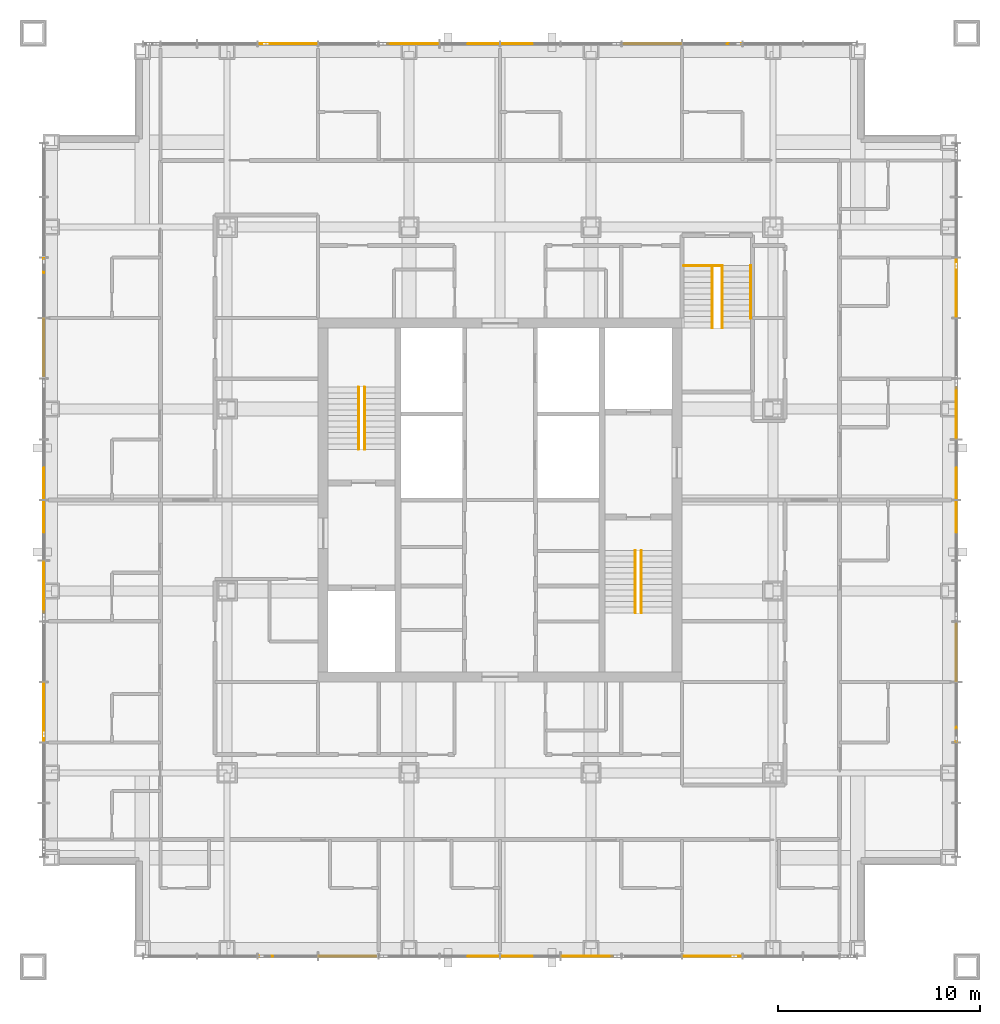
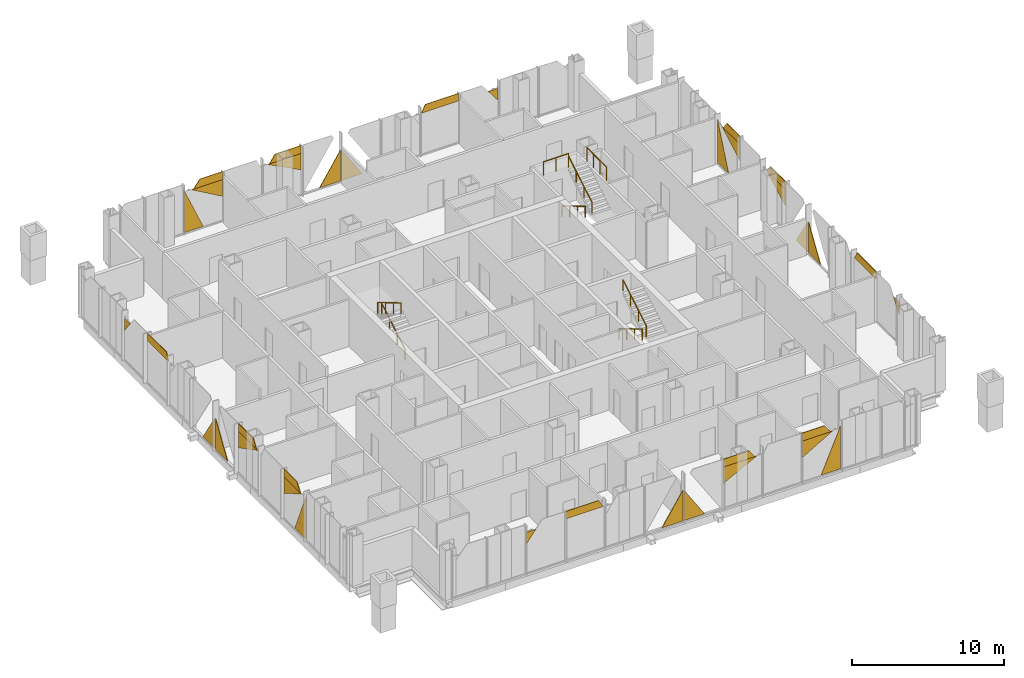
# One storey, part 13 of 25: 36 coverings, 8 railings.
"""IFC4 building model written with IfcOpenShell, lengths in metres."""

from ifc_helpers import new_model, si_unit, direction, frame, origin, origin_2d, place, context, subcontext, project, spatial, polyline, circle, outline, extrude, material, layer, layer_set, type_object, element, save


model = new_model("IFC4")

# Units and contexts
model_context = context("Model", 3, precision=1e-05, world=origin(), true_north=direction((0.0, 1.0)))
body_context = subcontext(model_context, "Body", "Model", "MODEL_VIEW")
ifc_project = project(units=[si_unit("LENGTHUNIT", "METRE"), si_unit("AREAUNIT", "SQUARE_METRE"), si_unit("VOLUMEUNIT", "CUBIC_METRE"), si_unit("PLANEANGLEUNIT", "RADIAN"), si_unit("MASSUNIT", "GRAM", prefix="KILO")], contexts=[model_context])

# Site, building, storey
site_placement = place(None, origin())
site = spatial("IfcSite", under=ifc_project, at=site_placement, CompositionType="ELEMENT")
building_placement = place(site_placement, origin())
building = spatial("IfcBuilding", under=site, at=building_placement, Name="Malebo Sky Hospital", CompositionType="ELEMENT")
storey_placement = place(building_placement, frame((0.0, 0.0, 241.0)))
storey = spatial("IfcBuildingStorey", under=building, at=storey_placement, Name="L58", CompositionType="ELEMENT", Elevation=241.0)

# Coverings
ifc_material_1 = material(Name="Anodised aluminium, natural silver insulated infill panel", Category="aluminium")
ifc_layer = layer(ifc_material_1, 0.0400390625)
ifc_layer_set = layer_set([ifc_layer], Name="BRACE INFILL PANEL 40")
covering_type = type_object("IfcCoveringType", Name="BRACE INFILL PANEL 40", PredefinedType="CLADDING", material=ifc_layer_set)
covering_1_placement = place(storey_placement, frame((48.77490234375, 84.574951171875, 0.099853515625), z_axis=(0.0, 0.0, 1.0), x_axis=(1.0, 0.0, 0.0)))
element("IfcCovering", 1, at=covering_1_placement, inside=storey, type_object=covering_type, Name="Brace infill panel 4.1", PredefinedType="CLADDING", context=body_context, shape_type="SweptSolid", body=[
    extrude(outline(polyline([(-0.7373046875, 0.0), (0.7373046875, 0.0), (-0.7373046875, 3.44091796875), (-0.7373046875, 0.0)])), frame((0.0, 0.02001953125, 0.0), z_axis=(0.0, -1.0, 0.0), x_axis=(1.0, 0.0, 0.0)), (0.0, 0.0, 1.0), 0.0400390625),
])
covering_2_placement = place(storey_placement, frame((49.799072265625, 84.574951171875, 2.0068359375), z_axis=(0.0, 0.0, 1.0), x_axis=(1.0, 0.0, 0.0)))
element("IfcCovering", 2, at=covering_2_placement, inside=storey, type_object=covering_type, Name="Brace infill panel 4.2", PredefinedType="CLADDING", context=body_context, shape_type="SweptSolid", body=[
    extrude(outline(polyline([(1.163330078125, 0.0), (1.163330078125, 1.34130859375), (-1.163330078125, 1.34130859375), (1.163330078125, 0.0)])), frame((0.0, 0.02001953125, 0.0), z_axis=(0.0, -1.0, 0.0), x_axis=(1.0, 0.0, 0.0)), (0.0, 0.0, 1.0), 0.0400390625),
])
covering_3_placement = place(storey_placement, frame((49.867431640625, 84.574951171875, 3.34814453125), z_axis=(0.0, 0.0, 1.0), x_axis=(1.0, 0.0, 0.0)))
element("IfcCovering", 3, at=covering_3_placement, inside=storey, type_object=covering_type, Name="Brace infill panel 4.3", PredefinedType="CLADDING", context=body_context, shape_type="SweptSolid", body=[
    extrude(outline(polyline([(-1.094970703125, 0.0), (1.094970703125, 0.0), (1.094970703125, 0.641845703125), (-0.608154296875, 0.641845703125), (-1.094970703125, 0.0)])), frame((0.0, 0.02001953125, 0.0), z_axis=(0.0, -1.0, 0.0), x_axis=(1.0, 0.0, 0.0)), (0.0, 0.0, 1.0), 0.0400390625),
])
covering_4_placement = place(storey_placement, frame((55.68603515625, 84.574951171875, 2.03466796875), z_axis=(0.0, 0.0, 1.0), x_axis=(1.0, 0.0, 0.0)))
element("IfcCovering", 4, at=covering_4_placement, inside=storey, type_object=covering_type, Name="Brace infill panel 6.1", PredefinedType="CLADDING", context=body_context, shape_type="SweptSolid", body=[
    extrude(outline(polyline([(1.2763671875, 0.0), (1.2763671875, 1.326416015625), (-1.2763671875, 1.326416015625), (1.2763671875, 0.0)])), frame((0.0, 0.02001953125, 0.0), z_axis=(0.0, -1.0, 0.0), x_axis=(1.0, 0.0, 0.0)), (0.0, 0.0, 1.0), 0.0400390625),
])
covering_5_placement = place(storey_placement, frame((55.760498046875, 84.574951171875, 3.36083984375), z_axis=(0.0, 0.0, 1.0), x_axis=(1.0, 0.0, 0.0)))
element("IfcCovering", 5, at=covering_5_placement, inside=storey, type_object=covering_type, Name="Brace infill panel 6.2", PredefinedType="CLADDING", context=body_context, shape_type="SweptSolid", body=[
    extrude(outline(polyline([(-1.201904296875, 0.0), (1.201904296875, 0.0), (1.201904296875, 0.629150390625), (-0.77685546875, 0.629150390625), (-1.201904296875, 0.0)])), frame((0.0, 0.02001953125, 0.0), z_axis=(0.0, -1.0, 0.0), x_axis=(1.0, 0.0, 0.0)), (0.0, 0.0, 1.0), 0.0400390625),
])
covering_6_placement = place(storey_placement, frame((59.17041015625, 84.574951171875, 0.10009765625), z_axis=(0.0, 0.0, 1.0), x_axis=(1.0, 0.0, 0.0)))
element("IfcCovering", 6, at=covering_6_placement, inside=storey, type_object=covering_type, Name="Brace infill panel 7.1", PredefinedType="CLADDING", context=body_context, shape_type="SweptSolid", body=[
    extrude(outline(polyline([(-0.7919921875, 0.0), (0.7919921875, 0.0), (0.7919921875, 2.468505859375), (-0.7919921875, 0.0)])), frame((0.0, 0.02001953125, 0.0), z_axis=(0.0, -1.0, 0.0), x_axis=(1.0, 0.0, 0.0)), (0.0, 0.0, 1.0), 0.0400390625),
])
covering_7_placement = place(storey_placement, frame((60.82958984375, 84.574951171875, 0.10009765625), z_axis=(0.0, 0.0, 1.0), x_axis=(1.0, 0.0, 0.0)))
element("IfcCovering", 7, at=covering_7_placement, inside=storey, type_object=covering_type, Name="Brace infill panel 8.1", PredefinedType="CLADDING", context=body_context, shape_type="SweptSolid", body=[
    extrude(outline(polyline([(-0.7919921875, 0.0), (0.7919921875, 0.0), (-0.7919921875, 2.468505859375), (-0.7919921875, 0.0)])), frame((0.0, 0.02001953125, 0.0), z_axis=(0.0, -1.0, 0.0), x_axis=(1.0, 0.0, 0.0)), (0.0, 0.0, 1.0), 0.0400390625),
])
covering_8_placement = place(storey_placement, frame((67.5439453125, 84.574951171875, 3.389892578125), z_axis=(0.0, 0.0, 1.0), x_axis=(1.0, 0.0, 0.0)))
element("IfcCovering", 8, at=covering_8_placement, inside=storey, type_object=covering_type, Name="Brace infill panel 10.1", PredefinedType="CLADDING", context=body_context, shape_type="SweptSolid", body=[
    extrude(outline(polyline([(-1.41845703125, 0.0), (1.41845703125, 0.0), (1.41845703125, 0.60009765625), (-1.11181640625, 0.60009765625), (-1.41845703125, 0.0)])), frame((0.0, 0.02001953125, 0.0), z_axis=(0.0, -1.0, 0.0), x_axis=(1.0, 0.0, 0.0)), (0.0, 0.0, 1.0), 0.0400390625),
])
covering_9_placement = place(storey_placement, frame((71.594970703125, 84.574951171875, 2.37841796875), z_axis=(0.0, 0.0, 1.0), x_axis=(1.0, 0.0, 0.0)))
element("IfcCovering", 9, at=covering_9_placement, inside=storey, type_object=covering_type, Name="Brace infill panel 11.1", PredefinedType="CLADDING", context=body_context, shape_type="SweptSolid", body=[
    extrude(outline(polyline([(0.36767578125, 0.0), (0.36767578125, 0.969482421875), (-0.367431640625, 0.969482421875), (0.36767578125, 0.0)])), frame((0.0, 0.02001953125, 0.0), z_axis=(0.0, -1.0, 0.0), x_axis=(1.0, 0.0, 0.0)), (0.0, 0.0, 1.0), 0.0400390625),
])
covering_10_placement = place(storey_placement, frame((37.425048828125, 50.77490234375, 0.099853515625), z_axis=(0.0, 0.0, 1.0), x_axis=(0.0, 1.0, 0.0)))
element("IfcCovering", 10, at=covering_10_placement, inside=storey, type_object=covering_type, Name="Brace infill panel 4.1", PredefinedType="CLADDING", context=body_context, shape_type="SweptSolid", body=[
    extrude(outline(polyline([(-0.7373046875, 0.0), (0.7373046875, 0.0), (-0.7373046875, 3.44091796875), (-0.7373046875, 0.0)])), frame((0.0, 0.02001953125, 0.0), z_axis=(0.0, -1.0, 0.0), x_axis=(1.0, 0.0, 0.0)), (0.0, 0.0, 1.0), 0.0400390625),
])
covering_11_placement = place(storey_placement, frame((37.425048828125, 51.799072265625, 2.0068359375), z_axis=(0.0, 0.0, 1.0), x_axis=(0.0, 1.0, 0.0)))
element("IfcCovering", 11, at=covering_11_placement, inside=storey, type_object=covering_type, Name="Brace infill panel 4.2", PredefinedType="CLADDING", context=body_context, shape_type="SweptSolid", body=[
    extrude(outline(polyline([(1.163330078125, 0.0), (1.163330078125, 1.34130859375), (-1.163330078125, 1.34130859375), (1.163330078125, 0.0)])), frame((0.0, 0.02001953125, 0.0), z_axis=(0.0, -1.0, 0.0), x_axis=(1.0, 0.0, 0.0)), (0.0, 0.0, 1.0), 0.0400390625),
])
covering_12_placement = place(storey_placement, frame((37.425048828125, 51.867431640625, 3.34814453125), z_axis=(0.0, 0.0, 1.0), x_axis=(0.0, 1.0, 0.0)))
element("IfcCovering", 12, at=covering_12_placement, inside=storey, type_object=covering_type, Name="Brace infill panel 4.3", PredefinedType="CLADDING", context=body_context, shape_type="SweptSolid", body=[
    extrude(outline(polyline([(-1.094970703125, 0.0), (1.094970703125, 0.0), (1.094970703125, 0.641845703125), (-0.608154296875, 0.641845703125), (-1.094970703125, 0.0)])), frame((0.0, 0.02001953125, 0.0), z_axis=(0.0, -1.0, 0.0), x_axis=(1.0, 0.0, 0.0)), (0.0, 0.0, 1.0), 0.0400390625),
])
covering_13_placement = place(storey_placement, frame((37.425048828125, 57.68603515625, 2.03466796875), z_axis=(0.0, 0.0, 1.0), x_axis=(0.0, 1.0, 0.0)))
element("IfcCovering", 13, at=covering_13_placement, inside=storey, type_object=covering_type, Name="Brace infill panel 6.1", PredefinedType="CLADDING", context=body_context, shape_type="SweptSolid", body=[
    extrude(outline(polyline([(1.2763671875, 0.0), (1.2763671875, 1.326416015625), (-1.2763671875, 1.326416015625), (1.2763671875, 0.0)])), frame((0.0, 0.02001953125, 0.0), z_axis=(0.0, -1.0, 0.0), x_axis=(1.0, 0.0, 0.0)), (0.0, 0.0, 1.0), 0.0400390625),
])
covering_14_placement = place(storey_placement, frame((37.425048828125, 57.760498046875, 3.36083984375), z_axis=(0.0, 0.0, 1.0), x_axis=(0.0, 1.0, 0.0)))
element("IfcCovering", 14, at=covering_14_placement, inside=storey, type_object=covering_type, Name="Brace infill panel 6.2", PredefinedType="CLADDING", context=body_context, shape_type="SweptSolid", body=[
    extrude(outline(polyline([(-1.201904296875, 0.0), (1.201904296875, 0.0), (1.201904296875, 0.629150390625), (-0.77685546875, 0.629150390625), (-1.201904296875, 0.0)])), frame((0.0, 0.02001953125, 0.0), z_axis=(0.0, -1.0, 0.0), x_axis=(1.0, 0.0, 0.0)), (0.0, 0.0, 1.0), 0.0400390625),
])
covering_15_placement = place(storey_placement, frame((37.425048828125, 61.17041015625, 0.10009765625), z_axis=(0.0, 0.0, 1.0), x_axis=(0.0, 1.0, 0.0)))
element("IfcCovering", 15, at=covering_15_placement, inside=storey, type_object=covering_type, Name="Brace infill panel 7.1", PredefinedType="CLADDING", context=body_context, shape_type="SweptSolid", body=[
    extrude(outline(polyline([(-0.7919921875, 0.0), (0.7919921875, 0.0), (0.7919921875, 2.468505859375), (-0.7919921875, 0.0)])), frame((0.0, 0.02001953125, 0.0), z_axis=(0.0, -1.0, 0.0), x_axis=(1.0, 0.0, 0.0)), (0.0, 0.0, 1.0), 0.0400390625),
])
covering_16_placement = place(storey_placement, frame((37.425048828125, 62.82958984375, 0.10009765625), z_axis=(0.0, 0.0, 1.0), x_axis=(0.0, 1.0, 0.0)))
element("IfcCovering", 16, at=covering_16_placement, inside=storey, type_object=covering_type, Name="Brace infill panel 8.1", PredefinedType="CLADDING", context=body_context, shape_type="SweptSolid", body=[
    extrude(outline(polyline([(-0.7919921875, 0.0), (0.7919921875, 0.0), (-0.7919921875, 2.468505859375), (-0.7919921875, 0.0)])), frame((0.0, 0.02001953125, 0.0), z_axis=(0.0, -1.0, 0.0), x_axis=(1.0, 0.0, 0.0)), (0.0, 0.0, 1.0), 0.0400390625),
])
covering_17_placement = place(storey_placement, frame((37.425048828125, 69.5439453125, 3.389892578125), z_axis=(0.0, 0.0, 1.0), x_axis=(0.0, 1.0, 0.0)))
element("IfcCovering", 17, at=covering_17_placement, inside=storey, type_object=covering_type, Name="Brace infill panel 10.1", PredefinedType="CLADDING", context=body_context, shape_type="SweptSolid", body=[
    extrude(outline(polyline([(-1.41845703125, 0.0), (1.41845703125, 0.0), (1.41845703125, 0.60009765625), (-1.11181640625, 0.60009765625), (-1.41845703125, 0.0)])), frame((0.0, 0.02001953125, 0.0), z_axis=(0.0, -1.0, 0.0), x_axis=(1.0, 0.0, 0.0)), (0.0, 0.0, 1.0), 0.0400390625),
])
covering_18_placement = place(storey_placement, frame((37.425048828125, 73.594970703125, 2.37841796875), z_axis=(0.0, 0.0, 1.0), x_axis=(0.0, 1.0, 0.0)))
element("IfcCovering", 18, at=covering_18_placement, inside=storey, type_object=covering_type, Name="Brace infill panel 11.1", PredefinedType="CLADDING", context=body_context, shape_type="SweptSolid", body=[
    extrude(outline(polyline([(0.36767578125, 0.0), (0.36767578125, 0.969482421875), (-0.367431640625, 0.969482421875), (0.36767578125, 0.0)])), frame((0.0, 0.02001953125, 0.0), z_axis=(0.0, -1.0, 0.0), x_axis=(1.0, 0.0, 0.0)), (0.0, 0.0, 1.0), 0.0400390625),
])
covering_19_placement = place(storey_placement, frame((71.22509765625, 39.425048828125, 0.099853515625), z_axis=(0.0, 0.0, 1.0), x_axis=(-1.0, 0.0, 0.0)))
element("IfcCovering", 19, at=covering_19_placement, inside=storey, type_object=covering_type, Name="Brace infill panel 4.1", PredefinedType="CLADDING", context=body_context, shape_type="SweptSolid", body=[
    extrude(outline(polyline([(-0.7373046875, 0.0), (0.7373046875, 0.0), (-0.7373046875, 3.44091796875), (-0.7373046875, 0.0)])), frame((0.0, 0.02001953125, 0.0), z_axis=(0.0, -1.0, 0.0), x_axis=(1.0, 0.0, 0.0)), (0.0, 0.0, 1.0), 0.0400390625),
])
covering_20_placement = place(storey_placement, frame((70.200927734375, 39.425048828125, 2.0068359375), z_axis=(0.0, 0.0, 1.0), x_axis=(-1.0, 0.0, 0.0)))
element("IfcCovering", 20, at=covering_20_placement, inside=storey, type_object=covering_type, Name="Brace infill panel 4.2", PredefinedType="CLADDING", context=body_context, shape_type="SweptSolid", body=[
    extrude(outline(polyline([(1.163330078125, 0.0), (1.163330078125, 1.34130859375), (-1.163330078125, 1.34130859375), (1.163330078125, 0.0)])), frame((0.0, 0.02001953125, 0.0), z_axis=(0.0, -1.0, 0.0), x_axis=(1.0, 0.0, 0.0)), (0.0, 0.0, 1.0), 0.0400390625),
])
covering_21_placement = place(storey_placement, frame((70.132568359375, 39.425048828125, 3.34814453125), z_axis=(0.0, 0.0, 1.0), x_axis=(-1.0, 0.0, 0.0)))
element("IfcCovering", 21, at=covering_21_placement, inside=storey, type_object=covering_type, Name="Brace infill panel 4.3", PredefinedType="CLADDING", context=body_context, shape_type="SweptSolid", body=[
    extrude(outline(polyline([(-1.094970703125, 0.0), (1.094970703125, 0.0), (1.094970703125, 0.641845703125), (-0.608154296875, 0.641845703125), (-1.094970703125, 0.0)])), frame((0.0, 0.02001953125, 0.0), z_axis=(0.0, -1.0, 0.0), x_axis=(1.0, 0.0, 0.0)), (0.0, 0.0, 1.0), 0.0400390625),
])
covering_22_placement = place(storey_placement, frame((64.31396484375, 39.425048828125, 2.03466796875), z_axis=(0.0, 0.0, 1.0), x_axis=(-1.0, 0.0, 0.0)))
element("IfcCovering", 22, at=covering_22_placement, inside=storey, type_object=covering_type, Name="Brace infill panel 6.1", PredefinedType="CLADDING", context=body_context, shape_type="SweptSolid", body=[
    extrude(outline(polyline([(1.2763671875, 0.0), (1.2763671875, 1.326416015625), (-1.2763671875, 1.326416015625), (1.2763671875, 0.0)])), frame((0.0, 0.02001953125, 0.0), z_axis=(0.0, -1.0, 0.0), x_axis=(1.0, 0.0, 0.0)), (0.0, 0.0, 1.0), 0.0400390625),
])
covering_23_placement = place(storey_placement, frame((64.239501953125, 39.425048828125, 3.36083984375), z_axis=(0.0, 0.0, 1.0), x_axis=(-1.0, 0.0, 0.0)))
element("IfcCovering", 23, at=covering_23_placement, inside=storey, type_object=covering_type, Name="Brace infill panel 6.2", PredefinedType="CLADDING", context=body_context, shape_type="SweptSolid", body=[
    extrude(outline(polyline([(-1.201904296875, 0.0), (1.201904296875, 0.0), (1.201904296875, 0.629150390625), (-0.77685546875, 0.629150390625), (-1.201904296875, 0.0)])), frame((0.0, 0.02001953125, 0.0), z_axis=(0.0, -1.0, 0.0), x_axis=(1.0, 0.0, 0.0)), (0.0, 0.0, 1.0), 0.0400390625),
])
covering_24_placement = place(storey_placement, frame((60.82958984375, 39.425048828125, 0.10009765625), z_axis=(0.0, 0.0, 1.0), x_axis=(-1.0, 0.0, 0.0)))
element("IfcCovering", 24, at=covering_24_placement, inside=storey, type_object=covering_type, Name="Brace infill panel 7.1", PredefinedType="CLADDING", context=body_context, shape_type="SweptSolid", body=[
    extrude(outline(polyline([(-0.7919921875, 0.0), (0.7919921875, 0.0), (0.7919921875, 2.468505859375), (-0.7919921875, 0.0)])), frame((0.0, 0.02001953125, 0.0), z_axis=(0.0, -1.0, 0.0), x_axis=(1.0, 0.0, 0.0)), (0.0, 0.0, 1.0), 0.0400390625),
])
covering_25_placement = place(storey_placement, frame((59.17041015625, 39.425048828125, 0.10009765625), z_axis=(0.0, 0.0, 1.0), x_axis=(-1.0, 0.0, 0.0)))
element("IfcCovering", 25, at=covering_25_placement, inside=storey, type_object=covering_type, Name="Brace infill panel 8.1", PredefinedType="CLADDING", context=body_context, shape_type="SweptSolid", body=[
    extrude(outline(polyline([(-0.7919921875, 0.0), (0.7919921875, 0.0), (-0.7919921875, 2.468505859375), (-0.7919921875, 0.0)])), frame((0.0, 0.02001953125, 0.0), z_axis=(0.0, -1.0, 0.0), x_axis=(1.0, 0.0, 0.0)), (0.0, 0.0, 1.0), 0.0400390625),
])
covering_26_placement = place(storey_placement, frame((52.4560546875, 39.425048828125, 3.389892578125), z_axis=(0.0, 0.0, 1.0), x_axis=(-1.0, 0.0, 0.0)))
element("IfcCovering", 26, at=covering_26_placement, inside=storey, type_object=covering_type, Name="Brace infill panel 10.1", PredefinedType="CLADDING", context=body_context, shape_type="SweptSolid", body=[
    extrude(outline(polyline([(-1.41845703125, 0.0), (1.41845703125, 0.0), (1.41845703125, 0.60009765625), (-1.11181640625, 0.60009765625), (-1.41845703125, 0.0)])), frame((0.0, 0.02001953125, 0.0), z_axis=(0.0, -1.0, 0.0), x_axis=(1.0, 0.0, 0.0)), (0.0, 0.0, 1.0), 0.0400390625),
])
covering_27_placement = place(storey_placement, frame((48.405029296875, 39.425048828125, 2.37841796875), z_axis=(0.0, 0.0, 1.0), x_axis=(-1.0, 0.0, 0.0)))
element("IfcCovering", 27, at=covering_27_placement, inside=storey, type_object=covering_type, Name="Brace infill panel 11.1", PredefinedType="CLADDING", context=body_context, shape_type="SweptSolid", body=[
    extrude(outline(polyline([(0.36767578125, 0.0), (0.36767578125, 0.9326171875), (0.2666015625, 0.969482421875), (-0.367431640625, 0.969482421875), (0.36767578125, 0.0)])), frame((0.0, 0.02001953125, 0.0), z_axis=(0.0, -1.0, 0.0), x_axis=(1.0, 0.0, 0.0)), (0.0, 0.0, 1.0), 0.0400390625),
])
covering_28_placement = place(storey_placement, frame((82.574951171875, 73.22509765625, 0.099853515625), z_axis=(0.0, 0.0, 1.0), x_axis=(0.0, -1.0, 0.0)))
element("IfcCovering", 28, at=covering_28_placement, inside=storey, type_object=covering_type, Name="Brace infill panel 4.1", PredefinedType="CLADDING", context=body_context, shape_type="SweptSolid", body=[
    extrude(outline(polyline([(-0.7373046875, 0.0), (0.7373046875, 0.0), (-0.7373046875, 3.44091796875), (-0.7373046875, 0.0)])), frame((0.0, 0.02001953125, 0.0), z_axis=(0.0, -1.0, 0.0), x_axis=(1.0, 0.0, 0.0)), (0.0, 0.0, 1.0), 0.0400390625),
])
covering_29_placement = place(storey_placement, frame((82.574951171875, 72.200927734375, 2.0068359375), z_axis=(0.0, 0.0, 1.0), x_axis=(0.0, -1.0, 0.0)))
element("IfcCovering", 29, at=covering_29_placement, inside=storey, type_object=covering_type, Name="Brace infill panel 4.2", PredefinedType="CLADDING", context=body_context, shape_type="SweptSolid", body=[
    extrude(outline(polyline([(1.163330078125, 0.0), (1.163330078125, 1.34130859375), (-1.163330078125, 1.34130859375), (1.163330078125, 0.0)])), frame((0.0, 0.02001953125, 0.0), z_axis=(0.0, -1.0, 0.0), x_axis=(1.0, 0.0, 0.0)), (0.0, 0.0, 1.0), 0.0400390625),
])
covering_30_placement = place(storey_placement, frame((82.574951171875, 72.132568359375, 3.34814453125), z_axis=(0.0, 0.0, 1.0), x_axis=(0.0, -1.0, 0.0)))
element("IfcCovering", 30, at=covering_30_placement, inside=storey, type_object=covering_type, Name="Brace infill panel 4.3", PredefinedType="CLADDING", context=body_context, shape_type="SweptSolid", body=[
    extrude(outline(polyline([(-1.094970703125, 0.0), (1.094970703125, 0.0), (1.094970703125, 0.641845703125), (-0.608154296875, 0.641845703125), (-1.094970703125, 0.0)])), frame((0.0, 0.02001953125, 0.0), z_axis=(0.0, -1.0, 0.0), x_axis=(1.0, 0.0, 0.0)), (0.0, 0.0, 1.0), 0.0400390625),
])
covering_31_placement = place(storey_placement, frame((82.574951171875, 66.31396484375, 2.03466796875), z_axis=(0.0, 0.0, 1.0), x_axis=(0.0, -1.0, 0.0)))
element("IfcCovering", 31, at=covering_31_placement, inside=storey, type_object=covering_type, Name="Brace infill panel 6.1", PredefinedType="CLADDING", context=body_context, shape_type="SweptSolid", body=[
    extrude(outline(polyline([(1.2763671875, 0.0), (1.2763671875, 1.326416015625), (-1.2763671875, 1.326416015625), (1.2763671875, 0.0)])), frame((0.0, 0.02001953125, 0.0), z_axis=(0.0, -1.0, 0.0), x_axis=(1.0, 0.0, 0.0)), (0.0, 0.0, 1.0), 0.0400390625),
])
covering_32_placement = place(storey_placement, frame((82.574951171875, 66.239501953125, 3.36083984375), z_axis=(0.0, 0.0, 1.0), x_axis=(0.0, -1.0, 0.0)))
element("IfcCovering", 32, at=covering_32_placement, inside=storey, type_object=covering_type, Name="Brace infill panel 6.2", PredefinedType="CLADDING", context=body_context, shape_type="SweptSolid", body=[
    extrude(outline(polyline([(-1.201904296875, 0.0), (1.201904296875, 0.0), (1.201904296875, 0.629150390625), (-0.77685546875, 0.629150390625), (-1.201904296875, 0.0)])), frame((0.0, 0.02001953125, 0.0), z_axis=(0.0, -1.0, 0.0), x_axis=(1.0, 0.0, 0.0)), (0.0, 0.0, 1.0), 0.0400390625),
])
covering_33_placement = place(storey_placement, frame((82.574951171875, 62.82958984375, 0.10009765625), z_axis=(0.0, 0.0, 1.0), x_axis=(0.0, -1.0, 0.0)))
element("IfcCovering", 33, at=covering_33_placement, inside=storey, type_object=covering_type, Name="Brace infill panel 7.1", PredefinedType="CLADDING", context=body_context, shape_type="SweptSolid", body=[
    extrude(outline(polyline([(-0.7919921875, 0.0), (0.7919921875, 0.0), (0.7919921875, 2.468505859375), (-0.7919921875, 0.0)])), frame((0.0, 0.02001953125, 0.0), z_axis=(0.0, -1.0, 0.0), x_axis=(1.0, 0.0, 0.0)), (0.0, 0.0, 1.0), 0.0400390625),
])
covering_34_placement = place(storey_placement, frame((82.574951171875, 61.17041015625, 0.10009765625), z_axis=(0.0, 0.0, 1.0), x_axis=(0.0, -1.0, 0.0)))
element("IfcCovering", 34, at=covering_34_placement, inside=storey, type_object=covering_type, Name="Brace infill panel 8.1", PredefinedType="CLADDING", context=body_context, shape_type="SweptSolid", body=[
    extrude(outline(polyline([(-0.7919921875, 0.0), (0.7919921875, 0.0), (-0.7919921875, 2.468505859375), (-0.7919921875, 0.0)])), frame((0.0, 0.02001953125, 0.0), z_axis=(0.0, -1.0, 0.0), x_axis=(1.0, 0.0, 0.0)), (0.0, 0.0, 1.0), 0.0400390625),
])
covering_35_placement = place(storey_placement, frame((82.574951171875, 54.4560546875, 3.389892578125), z_axis=(0.0, 0.0, 1.0), x_axis=(0.0, -1.0, 0.0)))
element("IfcCovering", 35, at=covering_35_placement, inside=storey, type_object=covering_type, Name="Brace infill panel 10.1", PredefinedType="CLADDING", context=body_context, shape_type="SweptSolid", body=[
    extrude(outline(polyline([(-1.41845703125, 0.0), (1.41845703125, 0.0), (1.41845703125, 0.60009765625), (-1.11181640625, 0.60009765625), (-1.41845703125, 0.0)])), frame((0.0, 0.02001953125, 0.0), z_axis=(0.0, -1.0, 0.0), x_axis=(1.0, 0.0, 0.0)), (0.0, 0.0, 1.0), 0.0400390625),
])
covering_36_placement = place(storey_placement, frame((82.574951171875, 50.405029296875, 2.37841796875), z_axis=(0.0, 0.0, 1.0), x_axis=(0.0, -1.0, 0.0)))
element("IfcCovering", 36, at=covering_36_placement, inside=storey, type_object=covering_type, Name="Brace infill panel 11.1", PredefinedType="CLADDING", context=body_context, shape_type="SweptSolid", body=[
    extrude(outline(polyline([(0.36767578125, 0.0), (0.36767578125, 0.9326171875), (0.2666015625, 0.969482421875), (-0.367431640625, 0.969482421875), (0.36767578125, 0.0)])), frame((0.0, 0.02001953125, 0.0), z_axis=(0.0, -1.0, 0.0), x_axis=(1.0, 0.0, 0.0)), (0.0, 0.0, 1.0), 0.0400390625),
])

# Railings
ifc_material_2 = material(Name="Stainless steel balustrade", Category="steel")
railing_type_1 = type_object("IfcRailingType", Name="STAIR GUARD 1100", PredefinedType="GUARDRAIL", material=ifc_material_2)
railing_1_placement = place(storey_placement, frame((69.10009765625, 73.60009765625, 4.0)))
element("IfcRailing", 37, at=railing_1_placement, inside=storey, type_object=railing_type_1, Name="Stair guard S3 top landing", PredefinedType="GUARDRAIL", context=body_context, shape_type="SweptSolid", body=[
    extrude(circle(Radius=0.02392578125, at=origin_2d()), frame((0.0, 0.0, 1.076171875), z_axis=(1.0, 0.0, 0.0), x_axis=(0.0, 1.0, 0.0)), (0.0, 0.0, 1.0), 1.89990234375),
    extrude(circle(Radius=0.02099609375, at=origin_2d()), origin(), (0.0, 0.0, 1.0), 1.052001953125),
    extrude(circle(Radius=0.02099609375, at=origin_2d()), frame((0.949951171875, 0.0, 0.0)), (0.0, 0.0, 1.0), 1.052001953125),
    extrude(circle(Radius=0.02099609375, at=origin_2d()), frame((1.89990234375, 0.0, 0.0)), (0.0, 0.0, 1.0), 1.052001953125),
])
railing_2_placement = place(storey_placement, frame((72.39990234375, 71.0, 4.0)))
element("IfcRailing", 38, at=railing_2_placement, inside=storey, type_object=railing_type_1, Name="Stair guard S3 top landing", PredefinedType="GUARDRAIL", context=body_context, shape_type="SweptSolid", body=[
    extrude(circle(Radius=0.02392578125, at=origin_2d()), frame((0.0, 0.0, 1.076171875), z_axis=(0.0, 1.0, 0.0), x_axis=(-1.0, 0.0, 0.0)), (0.0, 0.0, 1.0), 2.60009765625),
    extrude(circle(Radius=0.02099609375, at=origin_2d()), origin(), (0.0, 0.0, 1.0), 1.052001953125),
    extrude(circle(Radius=0.02099609375, at=origin_2d()), frame((0.0, 0.86669921875, 0.0)), (0.0, 0.0, 1.0), 1.052001953125),
    extrude(circle(Radius=0.02099609375, at=origin_2d()), frame((0.0, 1.7333984375, 0.0)), (0.0, 0.0, 1.0), 1.052001953125),
    extrude(circle(Radius=0.02099609375, at=origin_2d()), frame((0.0, 2.60009765625, 0.0)), (0.0, 0.0, 1.0), 1.052001953125),
])
ifc_material_3 = material(Name="Stainless steel tube", Category="steel")
railing_type_2 = type_object("IfcRailingType", Name="STAIR HANDRAIL 900", PredefinedType="HANDRAIL", material=ifc_material_3)
railing_3_placement = place(storey_placement, frame((53.300048828125, 64.5, 0.166748046875)))
element("IfcRailing", 39, at=railing_3_placement, inside=storey, type_object=railing_type_2, Name="Stair handrail S1 flight 1", PredefinedType="HANDRAIL", context=body_context, shape_type="SweptSolid", body=[
    extrude(circle(Radius=0.02392578125, at=origin_2d()), frame((0.0, 0.0, 0.8759765625), z_axis=(0.0, 0.859308565015, 0.511457515432), x_axis=(-1.0, 0.0, 0.0)), (0.0, 0.0, 1.0), 3.58447265625),
    extrude(circle(Radius=0.02099609375, at=origin_2d()), origin(), (0.0, 0.0, 1.0), 0.851806640625),
    extrude(circle(Radius=0.02099609375, at=origin_2d()), frame((0.0, 1.026611328125, 0.611083984375)), (0.0, 0.0, 1.0), 0.851806640625),
    extrude(circle(Radius=0.02099609375, at=origin_2d()), frame((0.0, 2.053466796875, 1.22216796875)), (0.0, 0.0, 1.0), 0.851806640625),
    extrude(circle(Radius=0.02099609375, at=origin_2d()), frame((0.0, 3.080078125, 1.833251953125)), (0.0, 0.0, 1.0), 0.851806640625),
])
for number, where, name in (
    (40, (53.0, 67.580078125, 2.166748046875), "Stair handrail S1 flight 2"),
    (41, (66.699951171875, 59.5, 0.166748046875), "Stair handrail S2 flight 1"),
):
    element("IfcRailing", number, at=place(storey_placement, frame(where)), inside=storey, type_object=railing_type_2, Name=name, PredefinedType="HANDRAIL", context=body_context, shape_type="SweptSolid", body=[
        extrude(circle(Radius=0.02392578125, at=origin_2d()), frame((0.0, 0.0, 0.8759765625), z_axis=(0.0, -0.859308565015, 0.511457515432), x_axis=(1.0, 0.0, 0.0)), (0.0, 0.0, 1.0), 3.58447265625),
        extrude(circle(Radius=0.02099609375, at=origin_2d()), origin(), (0.0, 0.0, 1.0), 0.851806640625),
        extrude(circle(Radius=0.02099609375, at=origin_2d()), frame((0.0, -1.026611328125, 0.611083984375)), (0.0, 0.0, 1.0), 0.851806640625),
        extrude(circle(Radius=0.02099609375, at=origin_2d()), frame((0.0, -2.053466796875, 1.22216796875)), (0.0, 0.0, 1.0), 0.851806640625),
        extrude(circle(Radius=0.02099609375, at=origin_2d()), frame((0.0, -3.080078125, 1.833251953125)), (0.0, 0.0, 1.0), 0.851806640625),
    ])
railing_4_placement = place(storey_placement, frame((67.0, 56.419921875, 2.166748046875)))
element("IfcRailing", 42, at=railing_4_placement, inside=storey, type_object=railing_type_2, Name="Stair handrail S2 flight 2", PredefinedType="HANDRAIL", context=body_context, shape_type="SweptSolid", body=[
    extrude(circle(Radius=0.02392578125, at=origin_2d()), frame((0.0, 0.0, 0.8759765625), z_axis=(0.0, 0.859308565015, 0.511457515432), x_axis=(-1.0, 0.0, 0.0)), (0.0, 0.0, 1.0), 3.58447265625),
    extrude(circle(Radius=0.02099609375, at=origin_2d()), origin(), (0.0, 0.0, 1.0), 0.851806640625),
    extrude(circle(Radius=0.02099609375, at=origin_2d()), frame((0.0, 1.026611328125, 0.611083984375)), (0.0, 0.0, 1.0), 0.851806640625),
    extrude(circle(Radius=0.02099609375, at=origin_2d()), frame((0.0, 2.053466796875, 1.22216796875)), (0.0, 0.0, 1.0), 0.851806640625),
    extrude(circle(Radius=0.02099609375, at=origin_2d()), frame((0.0, 3.080078125, 1.833251953125)), (0.0, 0.0, 1.0), 0.851806640625),
])
railing_5_placement = place(storey_placement, frame((70.5, 73.60009765625, 0.166748046875)))
element("IfcRailing", 43, at=railing_5_placement, inside=storey, type_object=railing_type_2, Name="Stair handrail S3 flight 1", PredefinedType="HANDRAIL", context=body_context, shape_type="SweptSolid", body=[
    extrude(circle(Radius=0.02392578125, at=origin_2d()), frame((0.0, 0.0, 0.8759765625), z_axis=(0.0, -0.859308565015, 0.511457515432), x_axis=(1.0, 0.0, 0.0)), (0.0, 0.0, 1.0), 3.58447265625),
    extrude(circle(Radius=0.02099609375, at=origin_2d()), origin(), (0.0, 0.0, 1.0), 0.851806640625),
    extrude(circle(Radius=0.02099609375, at=origin_2d()), frame((0.0, -1.026611328125, 0.611083984375)), (0.0, 0.0, 1.0), 0.851806640625),
    extrude(circle(Radius=0.02099609375, at=origin_2d()), frame((0.0, -2.053466796875, 1.22216796875)), (0.0, 0.0, 1.0), 0.851806640625),
    extrude(circle(Radius=0.02099609375, at=origin_2d()), frame((0.0, -3.080078125, 1.833251953125)), (0.0, 0.0, 1.0), 0.851806640625),
])
railing_6_placement = place(storey_placement, frame((71.0, 70.52001953125, 2.166748046875)))
element("IfcRailing", 44, at=railing_6_placement, inside=storey, type_object=railing_type_2, Name="Stair handrail S3 flight 2", PredefinedType="HANDRAIL", context=body_context, shape_type="SweptSolid", body=[
    extrude(circle(Radius=0.02392578125, at=origin_2d()), frame((0.0, 0.0, 0.8759765625), z_axis=(0.0, 0.859308565015, 0.511457515432), x_axis=(-1.0, 0.0, 0.0)), (0.0, 0.0, 1.0), 3.58447265625),
    extrude(circle(Radius=0.02099609375, at=origin_2d()), origin(), (0.0, 0.0, 1.0), 0.851806640625),
    extrude(circle(Radius=0.02099609375, at=origin_2d()), frame((0.0, 1.026611328125, 0.611083984375)), (0.0, 0.0, 1.0), 0.851806640625),
    extrude(circle(Radius=0.02099609375, at=origin_2d()), frame((0.0, 2.053466796875, 1.22216796875)), (0.0, 0.0, 1.0), 0.851806640625),
    extrude(circle(Radius=0.02099609375, at=origin_2d()), frame((0.0, 3.080078125, 1.833251953125)), (0.0, 0.0, 1.0), 0.851806640625),
])

save(model, "model.ifc")
